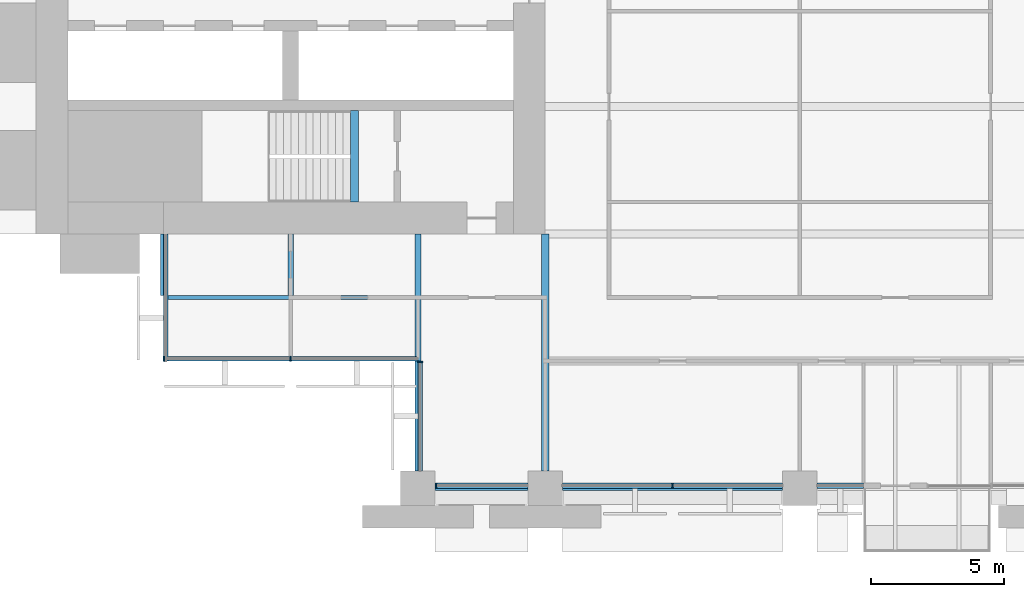
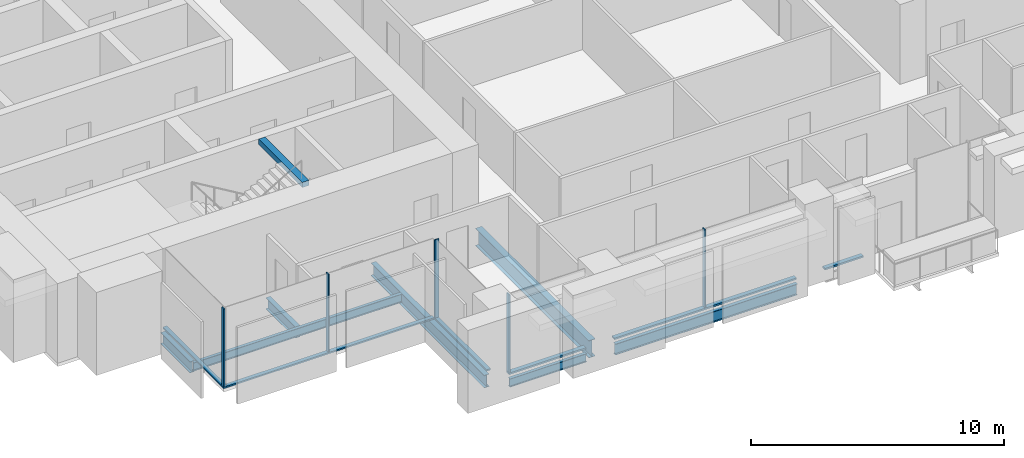
# One storey, part 2 of 15: 11 members, 8 beams, 4 elements without a shape of their own.
"""IFC4 building model written with IfcOpenShell, lengths in metres."""

from ifc_helpers import new_model, si_unit, direction, frame, origin, origin_2d, place, context, subcontext, project, spatial, rectangle, i_section, extrude, material, material_profile, profile_set, type_object, element, aggregate, save


model = new_model("IFC4")

# Units and contexts
model_context = context("Model", 3, precision=1e-05, world=origin(), true_north=direction((0.0, 1.0)))
body_context = subcontext(model_context, "Body", "Model", "MODEL_VIEW")
ifc_project = project(units=[si_unit("LENGTHUNIT", "METRE"), si_unit("AREAUNIT", "SQUARE_METRE"), si_unit("VOLUMEUNIT", "CUBIC_METRE"), si_unit("PLANEANGLEUNIT", "RADIAN"), si_unit("MASSUNIT", "GRAM", prefix="KILO")], contexts=[model_context])

# Site, building, storey
site_placement = place(None, origin())
site = spatial("IfcSite", under=ifc_project, at=site_placement, CompositionType="ELEMENT")
building_placement = place(site_placement, origin())
building = spatial("IfcBuilding", under=site, at=building_placement, Name="Baori Bourse Tower", CompositionType="ELEMENT")
storey_placement = place(building_placement, frame((0.0, 0.0, 59.0)))
storey = spatial("IfcBuildingStorey", under=building, at=storey_placement, Name="L12", CompositionType="ELEMENT", Elevation=59.0)

# Curtain wall, members
ifc_material_1 = material(Name="Pale anodised aluminium", Category="aluminium")
curtain_wall_type_1 = type_object("IfcCurtainWallType", Name="CW1 Curtain wall", PredefinedType="NOTDEFINED", material=ifc_material_1)
curtain_wall_1_placement = place(storey_placement, origin())
curtain_wall_1 = element("IfcCurtainWall", 1, at=curtain_wall_1_placement, inside=storey, type_object=curtain_wall_type_1, Name="Curtain wall CW1 L12 13", PredefinedType="NOTDEFINED")
ifc_material_2 = material(Name="Pale anodised aluminium", Category="aluminium")
ifc_material_profile_1 = material_profile(ifc_material_2, rectangle(XDim=0.199951171875, YDim=0.06005859375, at=origin_2d()), Name="Mullion 60x200")
ifc_profile_set_1 = profile_set([ifc_material_profile_1], Name="Pale anodised aluminium")
member_type_1 = type_object("IfcMemberType", Name="CW1 Curtain wall mullion", PredefinedType="MULLION", material=ifc_profile_set_1)
member_1_placement = place(storey_placement, frame((15.080078125, 0.10009765625, 0.080078125), z_axis=(0.0, 0.0, 1.0), x_axis=(0.0, 1.0, 0.0)))
member_1 = element("IfcMember", 2, at=member_1_placement, type_object=member_type_1, Name="Curtain wall CW1 mullion", PredefinedType="MULLION", context=body_context, shape_type="SweptSolid", body=[
    extrude(rectangle(XDim=0.199951171875, YDim=0.06005859375, at=origin_2d()), origin(), (0.0, 0.0, 1.0), 3.760009765625),
])
member_2_placement = place(storey_placement, frame((24.0, 0.10009765625, 0.080078125), z_axis=(0.0, 0.0, 1.0), x_axis=(0.0, 1.0, 0.0)))
member_2 = element("IfcMember", 3, at=member_2_placement, type_object=member_type_1, Name="Curtain wall CW1 mullion", PredefinedType="MULLION", context=body_context, shape_type="SweptSolid", body=[
    extrude(rectangle(XDim=0.199951171875, YDim=0.06005859375, at=origin_2d()), origin(), (0.0, 0.0, 1.0), 3.760009765625),
])
ifc_material_3 = material(Name="Pale anodised aluminium", Category="aluminium")
ifc_material_profile_2 = material_profile(ifc_material_3, rectangle(XDim=0.199951171875, YDim=0.080078125, at=origin_2d()), Name="Transom 80x200")
ifc_profile_set_2 = profile_set([ifc_material_profile_2], Name="Pale anodised aluminium")
member_type_2 = type_object("IfcMemberType", Name="CW1 Curtain wall transom", PredefinedType="USERDEFINED", material=ifc_profile_set_2)
member_3_placement = place(storey_placement, frame((15.050048828125, 0.10009765625, 0.0400390625), z_axis=(1.0, 0.0, 0.0), x_axis=(0.0, 1.0, 0.0)))
member_3 = element("IfcMember", 4, at=member_3_placement, type_object=member_type_2, Name="Curtain wall CW1 sill rail", ObjectType="TRANSOM", PredefinedType="USERDEFINED", context=body_context, shape_type="SweptSolid", body=[
    extrude(rectangle(XDim=0.199951171875, YDim=0.080078125, at=origin_2d()), origin(), (0.0, 0.0, 1.0), 3.5),
])
member_4_placement = place(storey_placement, frame((19.85009765625, 0.10009765625, 0.0400390625), z_axis=(1.0, 0.0, 0.0), x_axis=(0.0, 1.0, 0.0)))
member_4 = element("IfcMember", 5, at=member_4_placement, type_object=member_type_2, Name="Curtain wall CW1 sill rail", ObjectType="TRANSOM", PredefinedType="USERDEFINED", context=body_context, shape_type="SweptSolid", body=[
    extrude(rectangle(XDim=0.199951171875, YDim=0.080078125, at=origin_2d()), origin(), (0.0, 0.0, 1.0), 8.2998046875),
])
member_5_placement = place(storey_placement, frame((29.449951171875, 0.10009765625, 0.0400390625), z_axis=(1.0, 0.0, 0.0), x_axis=(0.0, 1.0, 0.0)))
member_5 = element("IfcMember", 6, at=member_5_placement, type_object=member_type_2, Name="Curtain wall CW1 sill rail", ObjectType="TRANSOM", PredefinedType="USERDEFINED", context=body_context, shape_type="SweptSolid", body=[
    extrude(rectangle(XDim=0.199951171875, YDim=0.080078125, at=origin_2d()), origin(), (0.0, 0.0, 1.0), 1.75),
])
aggregate(curtain_wall_1, [member_3, member_1, member_4, member_2, member_5])

ifc_material_4 = material(Name="Pale anodised aluminium", Category="aluminium")
curtain_wall_type_2 = type_object("IfcCurtainWallType", Name="CW2 Curtain wall", PredefinedType="NOTDEFINED", material=ifc_material_4)
curtain_wall_2_placement = place(storey_placement, origin())
curtain_wall_2 = element("IfcCurtainWall", 7, at=curtain_wall_2_placement, inside=storey, type_object=curtain_wall_type_2, Name="Curtain wall CW2 L12 11", PredefinedType="NOTDEFINED")
ifc_material_5 = material(Name="Pale anodised aluminium", Category="aluminium")
ifc_material_profile_3 = material_profile(ifc_material_5, rectangle(XDim=0.179931640625, YDim=0.054931640625, at=origin_2d()), Name="Mullion 55x180")
ifc_profile_set_3 = profile_set([ifc_material_profile_3], Name="Pale anodised aluminium")
member_type_3 = type_object("IfcMemberType", Name="CW2 Curtain wall mullion", PredefinedType="MULLION", material=ifc_profile_set_3)
member_6_placement = place(storey_placement, frame((4.827392578125, 4.889892578125, 0.070068359375), z_axis=(0.0, 0.0, 1.0), x_axis=(0.0, 1.0, 0.0)))
member_6 = element("IfcMember", 8, at=member_6_placement, type_object=member_type_3, Name="Curtain wall CW2 mullion", PredefinedType="MULLION", context=body_context, shape_type="SweptSolid", body=[
    extrude(rectangle(XDim=0.179931640625, YDim=0.054931640625, at=origin_2d()), origin(), (0.0, 0.0, 1.0), 3.77001953125),
])
member_7_placement = place(storey_placement, frame((9.60009765625, 4.889892578125, 0.070068359375), z_axis=(0.0, 0.0, 1.0), x_axis=(0.0, 1.0, 0.0)))
member_7 = element("IfcMember", 9, at=member_7_placement, type_object=member_type_3, Name="Curtain wall CW2 mullion", PredefinedType="MULLION", context=body_context, shape_type="SweptSolid", body=[
    extrude(rectangle(XDim=0.179931640625, YDim=0.054931640625, at=origin_2d()), origin(), (0.0, 0.0, 1.0), 3.77001953125),
])

# Curtain wall, member
curtain_wall_3_placement = place(storey_placement, origin())
curtain_wall_3 = element("IfcCurtainWall", 10, at=curtain_wall_3_placement, inside=storey, type_object=curtain_wall_type_2, Name="Curtain wall CW2 L12 12", PredefinedType="NOTDEFINED")
member_8_placement = place(storey_placement, frame((14.489990234375, 4.7724609375, 0.070068359375), z_axis=(0.0, 0.0, 1.0), x_axis=(1.0, 0.0, 0.0)))
member_8 = element("IfcMember", 11, at=member_8_placement, type_object=member_type_3, Name="Curtain wall CW2 mullion", PredefinedType="MULLION", context=body_context, shape_type="SweptSolid", body=[
    extrude(rectangle(XDim=0.179931640625, YDim=0.054931640625, at=origin_2d()), origin(), (0.0, 0.0, 1.0), 3.77001953125),
])

curtain_wall_4_placement = place(storey_placement, origin())
curtain_wall_4 = element("IfcCurtainWall", 12, at=curtain_wall_4_placement, inside=storey, type_object=curtain_wall_type_2, Name="Curtain wall CW2 L12 10", PredefinedType="NOTDEFINED")
ifc_material_6 = material(Name="Pale anodised aluminium", Category="aluminium")
ifc_material_profile_4 = material_profile(ifc_material_6, rectangle(XDim=0.179931640625, YDim=0.070068359375, at=origin_2d()), Name="Transom 70x180")
ifc_profile_set_4 = profile_set([ifc_material_profile_4], Name="Pale anodised aluminium")
member_type_4 = type_object("IfcMemberType", Name="CW2 Curtain wall transom", PredefinedType="USERDEFINED", material=ifc_profile_set_4)
member_9_placement = place(storey_placement, frame((4.889892578125, 9.60009765625, 0.034912109375), z_axis=(0.0, -1.0, 0.0), x_axis=(1.0, 0.0, 0.0)))
member_9 = element("IfcMember", 13, at=member_9_placement, type_object=member_type_4, Name="Curtain wall CW2 sill rail", ObjectType="TRANSOM", PredefinedType="USERDEFINED", context=body_context, shape_type="SweptSolid", body=[
    extrude(rectangle(XDim=0.179931640625, YDim=0.070068359375, at=origin_2d()), origin(), (0.0, 0.0, 1.0), 4.800048828125),
])
aggregate(curtain_wall_4, [member_9])

# Member
member_10_placement = place(storey_placement, frame((4.800048828125, 4.889892578125, 0.034912109375), z_axis=(1.0, 0.0, 0.0), x_axis=(0.0, 1.0, 0.0)))
member_10 = element("IfcMember", 14, at=member_10_placement, type_object=member_type_4, Name="Curtain wall CW2 sill rail", ObjectType="TRANSOM", PredefinedType="USERDEFINED", context=body_context, shape_type="SweptSolid", body=[
    extrude(rectangle(XDim=0.179931640625, YDim=0.070068359375, at=origin_2d()), origin(), (0.0, 0.0, 1.0), 9.599853515625),
])

aggregate(curtain_wall_2, [member_10, member_6, member_7])

member_11_placement = place(storey_placement, frame((14.489990234375, 4.800048828125, 0.034912109375), z_axis=(0.0, -1.0, 0.0), x_axis=(1.0, 0.0, 0.0)))
member_11 = element("IfcMember", 15, at=member_11_placement, type_object=member_type_4, Name="Curtain wall CW2 sill rail", ObjectType="TRANSOM", PredefinedType="USERDEFINED", context=body_context, shape_type="SweptSolid", body=[
    extrude(rectangle(XDim=0.179931640625, YDim=0.070068359375, at=origin_2d()), origin(), (0.0, 0.0, 1.0), 4.150146484375),
])

aggregate(curtain_wall_3, [member_11, member_8])

# Beams
ifc_material_7 = material(Name="Steel A992 Gr 50", Category="steel")
ifc_material_profile_5 = material_profile(ifc_material_7, i_section(OverallWidth=0.21240234375, OverallDepth=0.54345703125, WebThickness=0.01318359375, FlangeThickness=0.021240234375, at=origin_2d()), Name="W21x83")
ifc_profile_set_5 = profile_set([ifc_material_profile_5], Name="Steel A992 Gr 50")
beam_type_1 = type_object("IfcBeamType", Name="Core bracket W21x83", PredefinedType="BEAM", material=ifc_profile_set_5)
for number, where, z_axis, x_axis, name in (
    (16, (4.800048828125, 7.270263671875, -0.431884765625), (0.0, 1.0, 0.0), (-1.0, 0.0, 0.0), "Core bracket L12"),
    (17, (9.60009765625, 7.270263671875, -0.431884765625), (0.0, 1.0, 0.0), (-1.0, 0.0, 0.0), "Core bracket L12"),
):
    element("IfcBeam", number, at=place(storey_placement, frame(where, z_axis=z_axis, x_axis=x_axis)), inside=storey, type_object=beam_type_1, Name=name, PredefinedType="BEAM", context=body_context, shape_type="SweptSolid", body=[
        extrude(i_section(OverallWidth=0.21240234375, OverallDepth=0.54345703125, WebThickness=0.01318359375, FlangeThickness=0.021240234375, at=origin_2d()), origin(), (0.0, 0.0, 1.0), 2.329833984375),
    ])
ifc_material_8 = material(Name="Steel A992 Gr 50", Category="steel")
ifc_material_profile_6 = material_profile(ifc_material_8, i_section(OverallWidth=0.140380859375, OverallDepth=0.40380859375, WebThickness=0.007080078125, FlangeThickness=0.01123046875, at=origin_2d()), Name="W16x31")
ifc_profile_set_6 = profile_set([ifc_material_profile_6], Name="Steel A992 Gr 50")
beam_type_2 = type_object("IfcBeamType", Name="Edge beam W16x31", PredefinedType="BEAM", material=ifc_profile_set_6)
beam_1_placement = place(storey_placement, frame((15.050048828125, 0.0, -0.36181640625), z_axis=(1.0, 0.0, 0.0), x_axis=(0.0, 1.0, 0.0)))
element("IfcBeam", 18, at=beam_1_placement, inside=storey, type_object=beam_type_2, Name="Edge beam L12", PredefinedType="BEAM", context=body_context, shape_type="SweptSolid", body=[
    extrude(i_section(OverallWidth=0.140380859375, OverallDepth=0.40380859375, WebThickness=0.007080078125, FlangeThickness=0.01123046875, at=origin_2d()), origin(), (0.0, 0.0, 1.0), 3.5),
])
ifc_material_9 = material(Name="Steel A992 Gr 50", Category="steel")
ifc_material_profile_7 = material_profile(ifc_material_9, i_section(OverallWidth=0.1650390625, OverallDepth=0.52587890625, WebThickness=0.0087890625, FlangeThickness=0.011474609375, at=origin_2d()), Name="W21x44")
ifc_profile_set_7 = profile_set([ifc_material_profile_7], Name="Steel A992 Gr 50")
beam_type_3 = type_object("IfcBeamType", Name="Edge beam W21x44", PredefinedType="BEAM", material=ifc_profile_set_7)
beam_2_placement = place(storey_placement, frame((19.85009765625, 0.0, -0.4228515625), z_axis=(1.0, 0.0, 0.0), x_axis=(0.0, 1.0, 0.0)))
element("IfcBeam", 19, at=beam_2_placement, inside=storey, type_object=beam_type_3, Name="Edge beam L12", PredefinedType="BEAM", context=body_context, shape_type="SweptSolid", body=[
    extrude(i_section(OverallWidth=0.1650390625, OverallDepth=0.52587890625, WebThickness=0.0087890625, FlangeThickness=0.011474609375, at=origin_2d()), origin(), (0.0, 0.0, 1.0), 8.2998046875),
])
ifc_material_10 = material(Name="Steel A992 Gr 50", Category="steel")
ifc_material_profile_8 = material_profile(ifc_material_10, i_section(OverallWidth=0.22900390625, OverallDepth=0.612060546875, WebThickness=0.011962890625, FlangeThickness=0.01953125, at=origin_2d()), Name="W24x84")
ifc_profile_set_8 = profile_set([ifc_material_profile_8], Name="Steel A992 Gr 50")
beam_type_4 = type_object("IfcBeamType", Name="Floor beam W24x84", PredefinedType="BEAM", material=ifc_profile_set_8)
beam_3_placement = place(storey_placement, frame((14.39990234375, 0.64990234375, -0.466064453125), z_axis=(0.0, 1.0, 0.0), x_axis=(-1.0, 0.0, 0.0)))
element("IfcBeam", 20, at=beam_3_placement, inside=storey, type_object=beam_type_4, Name="Floor beam L12", PredefinedType="BEAM", context=body_context, shape_type="SweptSolid", body=[
    extrude(i_section(OverallWidth=0.22900390625, OverallDepth=0.612060546875, WebThickness=0.011962890625, FlangeThickness=0.01953125, at=origin_2d()), origin(), (0.0, 0.0, 1.0), 8.9501953125),
])
ifc_material_11 = material(Name="Steel A992 Gr 50", Category="steel")
ifc_material_profile_9 = material_profile(ifc_material_11, i_section(OverallWidth=0.2919921875, OverallDepth=0.835693359375, WebThickness=0.013916015625, FlangeThickness=0.018798828125, at=origin_2d()), Name="W33x118")
ifc_profile_set_9 = profile_set([ifc_material_profile_9], Name="Steel A992 Gr 50")
beam_type_5 = type_object("IfcBeamType", Name="Girder W33x118", PredefinedType="BEAM", material=ifc_profile_set_9)
beam_4_placement = place(storey_placement, frame((19.199951171875, 0.64990234375, -0.577880859375), z_axis=(0.0, 1.0, 0.0), x_axis=(-1.0, 0.0, 0.0)))
element("IfcBeam", 21, at=beam_4_placement, inside=storey, type_object=beam_type_5, Name="Girder L12", PredefinedType="BEAM", context=body_context, shape_type="SweptSolid", body=[
    extrude(i_section(OverallWidth=0.2919921875, OverallDepth=0.835693359375, WebThickness=0.013916015625, FlangeThickness=0.018798828125, at=origin_2d()), origin(), (0.0, 0.0, 1.0), 8.9501953125),
])
ifc_material_12 = material(Name="Concrete f'c 50 MPa", Category="concrete")
ifc_material_profile_10 = material_profile(ifc_material_12, rectangle(XDim=0.300048828125, YDim=0.25, at=origin_2d()), Name="RC 300x250")
ifc_profile_set_10 = profile_set([ifc_material_profile_10], Name="Concrete f'c 50 MPa")
beam_type_6 = type_object("IfcBeamType", Name="Stair nib beam RC 300x250", PredefinedType="BEAM", material=ifc_profile_set_10)
beam_5_placement = place(storey_placement, frame((12.0, 10.800048828125, 3.715087890625), z_axis=(0.0, 1.0, 0.0), x_axis=(-1.0, 0.0, 0.0)))
element("IfcBeam", 22, at=beam_5_placement, inside=storey, type_object=beam_type_6, Name="Stair WA nib beam L13", PredefinedType="BEAM", context=body_context, shape_type="SweptSolid", body=[
    extrude(rectangle(XDim=0.300048828125, YDim=0.25, at=origin_2d()), origin(), (0.0, 0.0, 1.0), 3.449951171875),
])
ifc_material_13 = material(Name="Steel A992 Gr 50", Category="steel")
ifc_material_profile_11 = material_profile(ifc_material_13, i_section(OverallWidth=0.140380859375, OverallDepth=0.40380859375, WebThickness=0.007080078125, FlangeThickness=0.01123046875, at=origin_2d()), Name="W16x31")
ifc_profile_set_11 = profile_set([ifc_material_profile_11], Name="Steel A992 Gr 50")
beam_type_7 = type_object("IfcBeamType", Name="Trimmer beam W16x31", PredefinedType="BEAM", material=ifc_profile_set_11)
beam_6_placement = place(storey_placement, frame((4.800048828125, 7.199951171875, -0.36181640625), z_axis=(1.0, 0.0, 0.0), x_axis=(0.0, 1.0, 0.0)))
element("IfcBeam", 23, at=beam_6_placement, inside=storey, type_object=beam_type_7, Name="Trimmer beam L12", PredefinedType="BEAM", context=body_context, shape_type="SweptSolid", body=[
    extrude(i_section(OverallWidth=0.140380859375, OverallDepth=0.40380859375, WebThickness=0.007080078125, FlangeThickness=0.01123046875, at=origin_2d()), origin(), (0.0, 0.0, 1.0), 9.4853515625),
])

save(model, "model.ifc")
